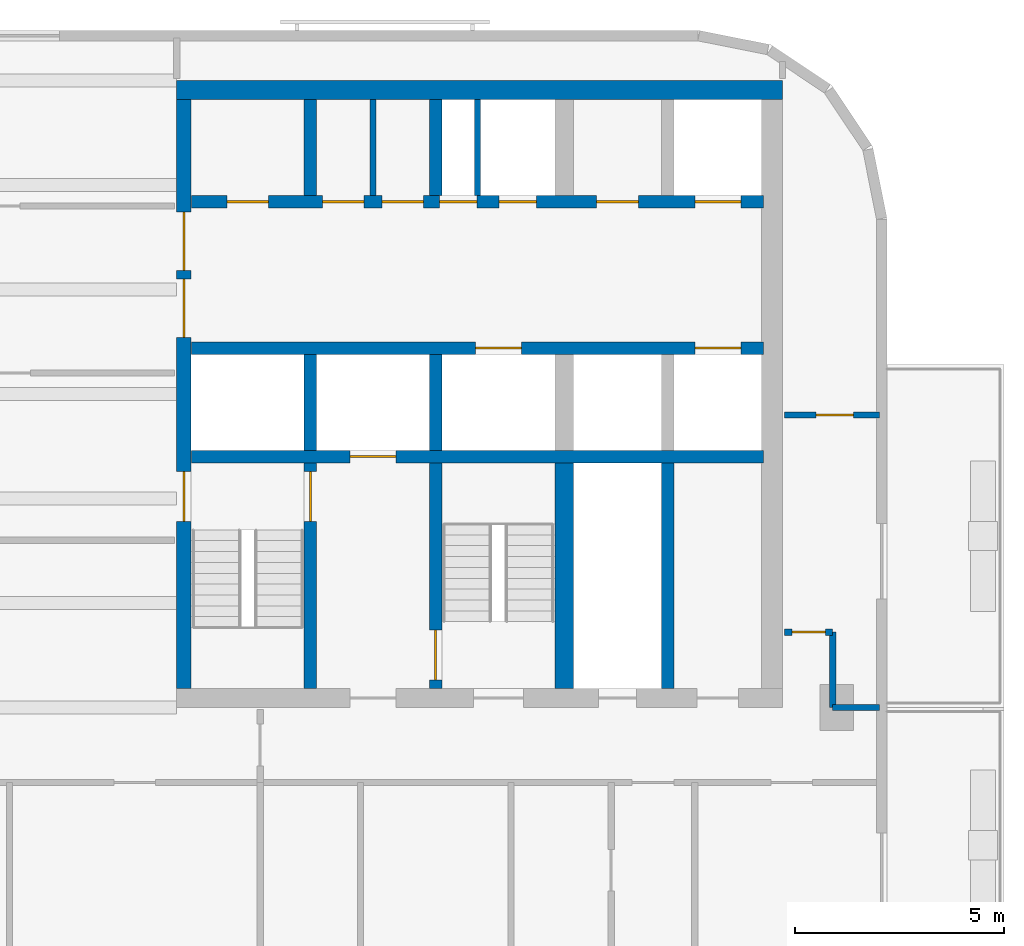
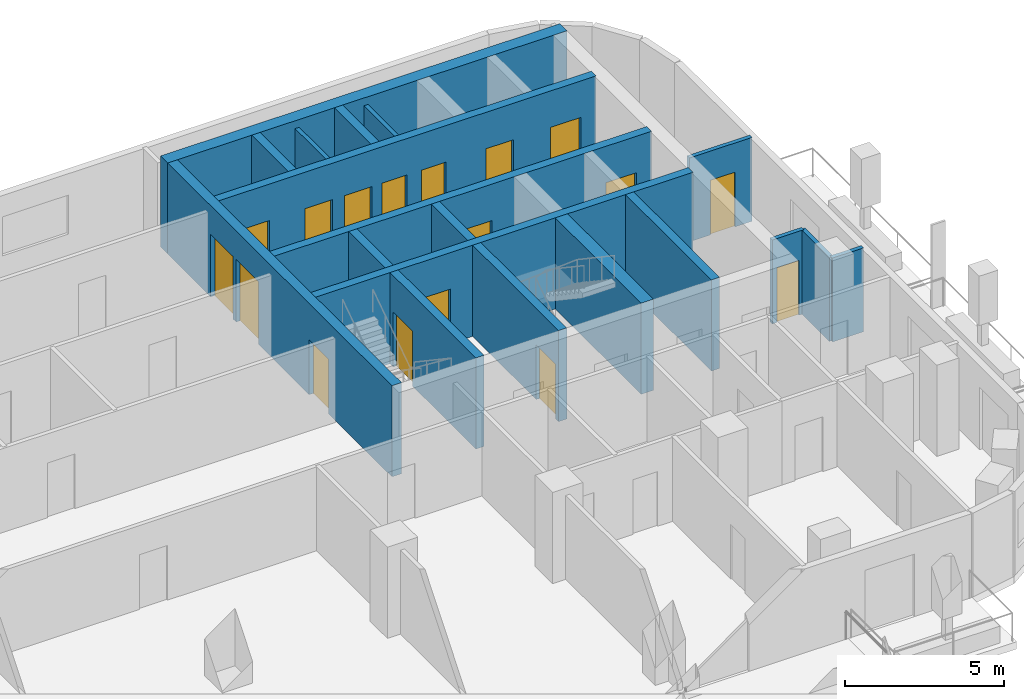
# One storey, part 6 of 11: 19 walls, 17 doors, 17 openings.
"""IFC4 building model written with IfcOpenShell, lengths in metres."""

from ifc_helpers import new_model, si_unit, direction, frame, frame_2d, origin, place, context, subcontext, project, spatial, rectangle, extrude, material, layer, layer_set, type_object, element, fill, save


model = new_model("IFC4")

# Units and contexts
model_context = context("Model", 3, precision=1e-05, world=origin(), true_north=direction((0.0, 1.0)))
body_context = subcontext(model_context, "Body", "Model", "MODEL_VIEW")
ifc_project = project(units=[si_unit("LENGTHUNIT", "METRE"), si_unit("AREAUNIT", "SQUARE_METRE"), si_unit("VOLUMEUNIT", "CUBIC_METRE"), si_unit("PLANEANGLEUNIT", "RADIAN"), si_unit("MASSUNIT", "GRAM", prefix="KILO")], contexts=[model_context])

# Site, building, storey
site_placement = place(None, origin())
site = spatial("IfcSite", under=ifc_project, at=site_placement, CompositionType="ELEMENT")
building_placement = place(site_placement, origin())
building = spatial("IfcBuilding", under=site, at=building_placement, Name="Torana Hotel and Residences", CompositionType="ELEMENT")
storey_placement = place(building_placement, frame((0.0, 0.0, 215.10009765625)))
storey = spatial("IfcBuildingStorey", under=building, at=storey_placement, Name="L56", CompositionType="ELEMENT", Elevation=215.10009765625)

# Wall, openings, doors
ifc_material_1 = material(Name="Concrete C70/85", Category="concrete")
ifc_layer_1 = layer(ifc_material_1, 0.300048828125)
ifc_layer_set_1 = layer_set([ifc_layer_1], Name="CORE WALL 300 C70/85")
wall_type_1 = type_object("IfcWallType", Name="CORE WALL 300 C70/85", PredefinedType="SHEAR", material=ifc_layer_set_1)
wall_1_placement = place(storey_placement, frame((10.35009765625, -2.89990234375, 0.0), z_axis=(0.0, 0.0, 1.0), x_axis=(1.0, 0.0, 0.0)))
wall_1 = element("IfcWall", 1, at=wall_1_placement, inside=storey, type_object=wall_type_1, Name="Core wall E row-N", PredefinedType="SHEAR", context=body_context, shape_type="SweptSolid", body=[
    extrude(rectangle(XDim=13.699951171875, YDim=0.300048828125, at=frame_2d((6.85009765625, 0.0))), origin(), (0.0, 0.0, 1.0), 3.5),
])
opening_1_placement = place(wall_1_placement, frame((12.050048828125, 0.0, 0.0)))
opening_1 = element("IfcOpeningElement", 2, at=opening_1_placement, cuts=wall_1, Name="Opening LD", PredefinedType="OPENING", context=body_context, shape_type="SweptSolid", body=[
    extrude(rectangle(XDim=1.10009765625, YDim=2.10009765625, at=frame_2d((0.550048828125, 1.050048828125))), frame((0.0, 0.159912109375, 0.0), z_axis=(0.0, -1.0, 0.0), x_axis=(1.0, 0.0, 0.0)), (0.0, 0.0, 1.0), 0.320068359375),
])
opening_2_placement = place(wall_1_placement, frame((5.9375, 0.0, 0.0)))
opening_2 = element("IfcOpeningElement", 3, at=opening_2_placement, cuts=wall_1, Name="Opening L56-23", PredefinedType="OPENING", context=body_context, shape_type="SweptSolid", body=[
    extrude(rectangle(XDim=0.89990234375, YDim=2.10009765625, at=frame_2d((0.449951171875, 1.050048828125))), frame((0.0, 0.159912109375, 0.0), z_axis=(0.0, -1.0, 0.0), x_axis=(1.0, 0.0, 0.0)), (0.0, 0.0, 1.0), 0.320068359375),
])
opening_3_placement = place(wall_1_placement, frame((7.362548828125, 0.0, 0.0)))
opening_3 = element("IfcOpeningElement", 4, at=opening_3_placement, cuts=wall_1, Name="Opening L56-24", PredefinedType="OPENING", context=body_context, shape_type="SweptSolid", body=[
    extrude(rectangle(XDim=0.89990234375, YDim=2.10009765625, at=frame_2d((0.449951171875, 1.050048828125))), frame((0.0, 0.159912109375, 0.0), z_axis=(0.0, -1.0, 0.0), x_axis=(1.0, 0.0, 0.0)), (0.0, 0.0, 1.0), 0.320068359375),
])
opening_4_placement = place(wall_1_placement, frame((0.85009765625, 0.0, 0.0)))
opening_4 = element("IfcOpeningElement", 5, at=opening_4_placement, cuts=wall_1, Name="Opening L56-25", PredefinedType="OPENING", context=body_context, shape_type="SweptSolid", body=[
    extrude(rectangle(XDim=1.0, YDim=2.10009765625, at=frame_2d((0.5, 1.050048828125))), frame((0.0, 0.159912109375, 0.0), z_axis=(0.0, -1.0, 0.0), x_axis=(1.0, 0.0, 0.0)), (0.0, 0.0, 1.0), 0.320068359375),
])
opening_5_placement = place(wall_1_placement, frame((3.137451171875, 0.0, 0.0)))
opening_5 = element("IfcOpeningElement", 6, at=opening_5_placement, cuts=wall_1, Name="Opening L56-26", PredefinedType="OPENING", context=body_context, shape_type="SweptSolid", body=[
    extrude(rectangle(XDim=1.0, YDim=2.10009765625, at=frame_2d((0.5, 1.050048828125))), frame((0.0, 0.159912109375, 0.0), z_axis=(0.0, -1.0, 0.0), x_axis=(1.0, 0.0, 0.0)), (0.0, 0.0, 1.0), 0.320068359375),
])
opening_6_placement = place(wall_1_placement, frame((4.5625, 0.0, 0.0)))
opening_6 = element("IfcOpeningElement", 7, at=opening_6_placement, cuts=wall_1, Name="Opening L56-27", PredefinedType="OPENING", context=body_context, shape_type="SweptSolid", body=[
    extrude(rectangle(XDim=1.0, YDim=2.10009765625, at=frame_2d((0.5, 1.050048828125))), frame((0.0, 0.159912109375, 0.0), z_axis=(0.0, -1.0, 0.0), x_axis=(1.0, 0.0, 0.0)), (0.0, 0.0, 1.0), 0.320068359375),
])
opening_7_placement = place(wall_1_placement, frame((9.699951171875, 0.0, 0.0)))
opening_7 = element("IfcOpeningElement", 8, at=opening_7_placement, cuts=wall_1, Name="Opening L56-28", PredefinedType="OPENING", context=body_context, shape_type="SweptSolid", body=[
    extrude(rectangle(XDim=1.0, YDim=2.10009765625, at=frame_2d((0.5, 1.050048828125))), frame((0.0, 0.159912109375, 0.0), z_axis=(0.0, -1.0, 0.0), x_axis=(1.0, 0.0, 0.0)), (0.0, 0.0, 1.0), 0.320068359375),
])
ifc_material_2 = material(Name="Steel S235", Category="steel")
door_type_1 = type_object("IfcDoorType", Name="CORE ROOM FIRE DOOR D14 1000x2100", OperationType="SINGLE_SWING_LEFT", PredefinedType="DOOR", material=ifc_material_2)
door_1_placement = place(opening_4_placement, origin())
door_1 = element("IfcDoor", 9, at=door_1_placement, inside=storey, type_object=door_type_1, Name="N0 door L56", OperationType="SINGLE_SWING_RIGHT", OverallHeight=2.10009765625, OverallWidth=1.0, PredefinedType="DOOR", context=body_context, shape_type="SweptSolid", body=[
    extrude(rectangle(XDim=1.0, YDim=2.10009765625, at=frame_2d((0.5, 1.050048828125))), frame((0.0, 0.02490234375, 0.0), z_axis=(0.0, -1.0, 0.0), x_axis=(1.0, 0.0, 0.0)), (0.0, 0.0, 1.0), 0.050048828125),
])
fill(opening_4, door_1)
door_2_placement = place(opening_5_placement, origin())
door_2 = element("IfcDoor", 10, at=door_2_placement, inside=storey, type_object=door_type_1, Name="N1A door L56", OperationType="SINGLE_SWING_RIGHT", OverallHeight=2.10009765625, OverallWidth=1.0, PredefinedType="DOOR", context=body_context, shape_type="SweptSolid", body=[
    extrude(rectangle(XDim=1.0, YDim=2.10009765625, at=frame_2d((0.5, 1.050048828125))), frame((0.0, 0.02490234375, 0.0), z_axis=(0.0, -1.0, 0.0), x_axis=(1.0, 0.0, 0.0)), (0.0, 0.0, 1.0), 0.050048828125),
])
fill(opening_5, door_2)
door_3_placement = place(opening_6_placement, origin())
door_3 = element("IfcDoor", 11, at=door_3_placement, inside=storey, type_object=door_type_1, Name="N1B door L56", OperationType="SINGLE_SWING_RIGHT", OverallHeight=2.10009765625, OverallWidth=1.0, PredefinedType="DOOR", context=body_context, shape_type="SweptSolid", body=[
    extrude(rectangle(XDim=1.0, YDim=2.10009765625, at=frame_2d((0.5, 1.050048828125))), frame((0.0, 0.02490234375, 0.0), z_axis=(0.0, -1.0, 0.0), x_axis=(1.0, 0.0, 0.0)), (0.0, 0.0, 1.0), 0.050048828125),
])
fill(opening_6, door_3)
door_4_placement = place(opening_7_placement, origin())
door_4 = element("IfcDoor", 12, at=door_4_placement, inside=storey, type_object=door_type_1, Name="Freed-S2 door L56", OperationType="SINGLE_SWING_RIGHT", OverallHeight=2.10009765625, OverallWidth=1.0, PredefinedType="DOOR", context=body_context, shape_type="SweptSolid", body=[
    extrude(rectangle(XDim=1.0, YDim=2.10009765625, at=frame_2d((0.5, 1.050048828125))), frame((0.0, 0.02490234375, 0.0), z_axis=(0.0, -1.0, 0.0), x_axis=(1.0, 0.0, 0.0)), (0.0, 0.0, 1.0), 0.050048828125),
])
fill(opening_7, door_4)
ifc_material_3 = material(Name="Stainless steel 316", Category="steel")
door_type_2 = type_object("IfcDoorType", Name="LIFT LANDING DOOR LD 1100x2100", OperationType="DOUBLE_DOOR_SLIDING", PredefinedType="USERDEFINED", material=ifc_material_3)
door_5_placement = place(opening_1_placement, origin())
door_5 = element("IfcDoor", 13, at=door_5_placement, inside=storey, type_object=door_type_2, Name="Lift landing door M3 L56", ObjectType="LIFT LANDING DOOR", OperationType="DOUBLE_DOOR_SLIDING", OverallHeight=2.10009765625, OverallWidth=1.10009765625, PredefinedType="USERDEFINED", context=body_context, shape_type="SweptSolid", body=[
    extrude(rectangle(XDim=1.10009765625, YDim=2.10009765625, at=frame_2d((0.550048828125, 1.050048828125))), frame((0.0, 0.02490234375, 0.0), z_axis=(0.0, -1.0, 0.0), x_axis=(1.0, 0.0, 0.0)), (0.0, 0.0, 1.0), 0.050048828125),
])
fill(opening_1, door_5)
ifc_material_4 = material(Name="Steel S235", Category="steel")
door_type_3 = type_object("IfcDoorType", Name="RISER ACCESS DOOR D5 900x2100", OperationType="SINGLE_SWING_LEFT", PredefinedType="DOOR", material=ifc_material_4)
door_6_placement = place(opening_2_placement, origin())
door_6 = element("IfcDoor", 14, at=door_6_placement, inside=storey, type_object=door_type_3, Name="N2A door L56", OperationType="SINGLE_SWING_RIGHT", OverallHeight=2.10009765625, OverallWidth=0.89990234375, PredefinedType="DOOR", context=body_context, shape_type="SweptSolid", body=[
    extrude(rectangle(XDim=0.89990234375, YDim=2.10009765625, at=frame_2d((0.449951171875, 1.050048828125))), frame((0.0, 0.02490234375, 0.0), z_axis=(0.0, -1.0, 0.0), x_axis=(1.0, 0.0, 0.0)), (0.0, 0.0, 1.0), 0.050048828125),
])
fill(opening_2, door_6)
door_7_placement = place(opening_3_placement, origin())
door_7 = element("IfcDoor", 15, at=door_7_placement, inside=storey, type_object=door_type_3, Name="N2B door L56", OperationType="SINGLE_SWING_RIGHT", OverallHeight=2.10009765625, OverallWidth=0.89990234375, PredefinedType="DOOR", context=body_context, shape_type="SweptSolid", body=[
    extrude(rectangle(XDim=0.89990234375, YDim=2.10009765625, at=frame_2d((0.449951171875, 1.050048828125))), frame((0.0, 0.02490234375, 0.0), z_axis=(0.0, -1.0, 0.0), x_axis=(1.0, 0.0, 0.0)), (0.0, 0.0, 1.0), 0.050048828125),
])
fill(opening_3, door_7)

wall_2_placement = place(storey_placement, frame((10.35009765625, -6.39990234375, 0.0), z_axis=(0.0, 0.0, 1.0), x_axis=(1.0, 0.0, 0.0)))
wall_2 = element("IfcWall", 16, at=wall_2_placement, inside=storey, type_object=wall_type_1, Name="Core wall E row-S", PredefinedType="SHEAR", context=body_context, shape_type="SweptSolid", body=[
    extrude(rectangle(XDim=13.699951171875, YDim=0.300048828125, at=frame_2d((6.85009765625, 0.0))), origin(), (0.0, 0.0, 1.0), 3.5),
])
opening_8_placement = place(wall_2_placement, frame((12.050048828125, 0.0, 0.0)))
opening_8 = element("IfcOpeningElement", 17, at=opening_8_placement, cuts=wall_2, Name="Opening LD", PredefinedType="OPENING", context=body_context, shape_type="SweptSolid", body=[
    extrude(rectangle(XDim=1.10009765625, YDim=2.10009765625, at=frame_2d((0.550048828125, 1.050048828125))), frame((0.0, 0.159912109375, 0.0), z_axis=(0.0, -1.0, 0.0), x_axis=(1.0, 0.0, 0.0)), (0.0, 0.0, 1.0), 0.320068359375),
])
opening_9_placement = place(wall_2_placement, frame((6.800048828125, 0.0, 0.0)))
opening_9 = element("IfcOpeningElement", 18, at=opening_9_placement, cuts=wall_2, Name="Opening LD", PredefinedType="OPENING", context=body_context, shape_type="SweptSolid", body=[
    extrude(rectangle(XDim=1.10009765625, YDim=2.10009765625, at=frame_2d((0.550048828125, 1.050048828125))), frame((0.0, 0.159912109375, 0.0), z_axis=(0.0, -1.0, 0.0), x_axis=(1.0, 0.0, 0.0)), (0.0, 0.0, 1.0), 0.320068359375),
])
door_8_placement = place(opening_8_placement, origin())
door_8 = element("IfcDoor", 19, at=door_8_placement, inside=storey, type_object=door_type_2, Name="Lift landing door M4 L56", ObjectType="LIFT LANDING DOOR", OperationType="DOUBLE_DOOR_SLIDING", OverallHeight=2.10009765625, OverallWidth=1.10009765625, PredefinedType="USERDEFINED", context=body_context, shape_type="SweptSolid", body=[
    extrude(rectangle(XDim=1.10009765625, YDim=2.10009765625, at=frame_2d((0.550048828125, 1.050048828125))), frame((0.0, 0.02490234375, 0.0), z_axis=(0.0, -1.0, 0.0), x_axis=(1.0, 0.0, 0.0)), (0.0, 0.0, 1.0), 0.050048828125),
])
fill(opening_8, door_8)
door_9_placement = place(opening_9_placement, origin())
door_9 = element("IfcDoor", 20, at=door_9_placement, inside=storey, type_object=door_type_2, Name="Lift landing door SV2 L56", ObjectType="LIFT LANDING DOOR", OperationType="DOUBLE_DOOR_SLIDING", OverallHeight=2.10009765625, OverallWidth=1.10009765625, PredefinedType="USERDEFINED", context=body_context, shape_type="SweptSolid", body=[
    extrude(rectangle(XDim=1.10009765625, YDim=2.10009765625, at=frame_2d((0.550048828125, 1.050048828125))), frame((0.0, 0.02490234375, 0.0), z_axis=(0.0, -1.0, 0.0), x_axis=(1.0, 0.0, 0.0)), (0.0, 0.0, 1.0), 0.050048828125),
])
fill(opening_9, door_9)

# Wall, opening, door
wall_3_placement = place(storey_placement, frame((10.35009765625, -9.0, 0.0), z_axis=(0.0, 0.0, 1.0), x_axis=(1.0, 0.0, 0.0)))
wall_3 = element("IfcWall", 21, at=wall_3_placement, inside=storey, type_object=wall_type_1, Name="Core wall E band", PredefinedType="SHEAR", context=body_context, shape_type="SweptSolid", body=[
    extrude(rectangle(XDim=13.699951171875, YDim=0.300048828125, at=frame_2d((6.85009765625, 0.0))), origin(), (0.0, 0.0, 1.0), 3.5),
])
opening_10_placement = place(wall_3_placement, frame((3.800048828125, 0.0, 0.0)))
opening_10 = element("IfcOpeningElement", 22, at=opening_10_placement, cuts=wall_3, Name="Opening LD", PredefinedType="OPENING", context=body_context, shape_type="SweptSolid", body=[
    extrude(rectangle(XDim=1.10009765625, YDim=2.10009765625, at=frame_2d((0.550048828125, 1.050048828125))), frame((0.0, 0.159912109375, 0.0), z_axis=(0.0, -1.0, 0.0), x_axis=(1.0, 0.0, 0.0)), (0.0, 0.0, 1.0), 0.320068359375),
])
door_10_placement = place(opening_10_placement, origin())
door_10 = element("IfcDoor", 23, at=door_10_placement, inside=storey, type_object=door_type_2, Name="Lift landing door FF2 L56", ObjectType="LIFT LANDING DOOR", OperationType="DOUBLE_DOOR_SLIDING", OverallHeight=2.10009765625, OverallWidth=1.10009765625, PredefinedType="USERDEFINED", context=body_context, shape_type="SweptSolid", body=[
    extrude(rectangle(XDim=1.10009765625, YDim=2.10009765625, at=frame_2d((0.550048828125, 1.050048828125))), frame((0.0, 0.02490234375, 0.0), z_axis=(0.0, -1.0, 0.0), x_axis=(1.0, 0.0, 0.0)), (0.0, 0.0, 1.0), 0.050048828125),
])
fill(opening_10, door_10)

# Walls
for number, where, z_axis, x_axis, name in (
    (24, (13.199951171875, -2.75, 0.0), (0.0, 0.0, 1.0), (0.0, 1.0, 0.0), "Core wall E x3.05-N"),
    (25, (13.199951171875, -8.85009765625, 0.0), (0.0, 0.0, 1.0), (0.0, 1.0, 0.0), "Core wall E x3.05-S"),
):
    element("IfcWall", number, at=place(storey_placement, frame(where, z_axis=z_axis, x_axis=x_axis)), inside=storey, type_object=wall_type_1, Name=name, PredefinedType="SHEAR", context=body_context, shape_type="SweptSolid", body=[
        extrude(rectangle(XDim=2.300048828125, YDim=0.300048828125, at=frame_2d((1.14990234375, 0.0))), origin(), (0.0, 0.0, 1.0), 3.5),
    ])

# Wall, opening, door
wall_4_placement = place(storey_placement, frame((13.199951171875, -14.550048828125, 0.0), z_axis=(0.0, 0.0, 1.0), x_axis=(0.0, 1.0, 0.0)))
wall_4 = element("IfcWall", 26, at=wall_4_placement, inside=storey, type_object=wall_type_1, Name="Core wall E x3.05-band", PredefinedType="SHEAR", context=body_context, shape_type="SweptSolid", body=[
    extrude(rectangle(XDim=5.400146484375, YDim=0.300048828125, at=frame_2d((2.7001953125, 0.0))), origin(), (0.0, 0.0, 1.0), 3.5),
])
opening_11_placement = place(wall_4_placement, frame((4.0, 0.0, 0.0)))
opening_11 = element("IfcOpeningElement", 27, at=opening_11_placement, cuts=wall_4, Name="Opening L56-29", PredefinedType="OPENING", context=body_context, shape_type="SweptSolid", body=[
    extrude(rectangle(XDim=1.199951171875, YDim=2.10009765625, at=frame_2d((0.60009765625, 1.050048828125))), frame((0.0, 0.159912109375, 0.0), z_axis=(0.0, -1.0, 0.0), x_axis=(1.0, 0.0, 0.0)), (0.0, 0.0, 1.0), 0.320068359375),
])
ifc_material_5 = material(Name="Steel S235", Category="steel")
door_type_4 = type_object("IfcDoorType", Name="STAIR FIRE DOOR D3 1200x2100", OperationType="SINGLE_SWING_LEFT", PredefinedType="DOOR", material=ifc_material_5)
door_11_placement = place(opening_11_placement, origin())
door_11 = element("IfcDoor", 28, at=door_11_placement, inside=storey, type_object=door_type_4, Name="Stair-A-lobby door L56", OperationType="SINGLE_SWING_LEFT", OverallHeight=2.10009765625, OverallWidth=1.199951171875, PredefinedType="DOOR", context=body_context, shape_type="SweptSolid", body=[
    extrude(rectangle(XDim=1.199951171875, YDim=2.10009765625, at=frame_2d((0.60009765625, 1.050048828125))), frame((0.0, 0.02490234375, 0.0), z_axis=(0.0, -1.0, 0.0), x_axis=(1.0, 0.0, 0.0)), (0.0, 0.0, 1.0), 0.050048828125),
])
fill(opening_11, door_11)

# Walls
for number, where, z_axis, x_axis, name in (
    (29, (16.199951171875, -2.75, 0.0), (0.0, 0.0, 1.0), (0.0, 1.0, 0.0), "Core wall E x6.05-N"),
    (30, (16.199951171875, -8.85009765625, 0.0), (0.0, 0.0, 1.0), (0.0, 1.0, 0.0), "Core wall E x6.05-S"),
):
    element("IfcWall", number, at=place(storey_placement, frame(where, z_axis=z_axis, x_axis=x_axis)), inside=storey, type_object=wall_type_1, Name=name, PredefinedType="SHEAR", context=body_context, shape_type="SweptSolid", body=[
        extrude(rectangle(XDim=2.300048828125, YDim=0.300048828125, at=frame_2d((1.14990234375, 0.0))), origin(), (0.0, 0.0, 1.0), 3.5),
    ])

# Wall, opening, door
wall_5_placement = place(storey_placement, frame((16.199951171875, -14.550048828125, 0.0), z_axis=(0.0, 0.0, 1.0), x_axis=(0.0, 1.0, 0.0)))
wall_5 = element("IfcWall", 31, at=wall_5_placement, inside=storey, type_object=wall_type_1, Name="Core wall E x6.05-band", PredefinedType="SHEAR", context=body_context, shape_type="SweptSolid", body=[
    extrude(rectangle(XDim=5.400146484375, YDim=0.300048828125, at=frame_2d((2.7001953125, 0.0))), origin(), (0.0, 0.0, 1.0), 3.5),
])
opening_12_placement = place(wall_5_placement, frame((0.199951171875, 0.0, 0.0)))
opening_12 = element("IfcOpeningElement", 32, at=opening_12_placement, cuts=wall_5, Name="Opening L56-30", PredefinedType="OPENING", context=body_context, shape_type="SweptSolid", body=[
    extrude(rectangle(XDim=1.199951171875, YDim=2.10009765625, at=frame_2d((0.60009765625, 1.050048828125))), frame((0.0, 0.159912109375, 0.0), z_axis=(0.0, -1.0, 0.0), x_axis=(1.0, 0.0, 0.0)), (0.0, 0.0, 1.0), 0.320068359375),
])
door_12_placement = place(opening_12_placement, frame((0.60009765625, 0.0, 0.0), z_axis=(0.0, 0.0, 1.0), x_axis=(-1.0, 0.0, 0.0)))
door_12 = element("IfcDoor", 33, at=door_12_placement, inside=storey, type_object=door_type_4, Name="Stair-B-lobby door L56", OperationType="SINGLE_SWING_LEFT", OverallHeight=2.10009765625, OverallWidth=1.199951171875, PredefinedType="DOOR", context=body_context, shape_type="SweptSolid", body=[
    extrude(rectangle(XDim=1.199951171875, YDim=2.10009765625, at=frame_2d((0.0, 1.050048828125))), frame((0.0, -0.02490234375, 0.0), z_axis=(0.0, 1.0, 0.0), x_axis=(-1.0, 0.0, 0.0)), (0.0, 0.0, 1.0), 0.050048828125),
])
fill(opening_12, door_12)

# Wall
wall_6_placement = place(storey_placement, frame((21.75, -14.550048828125, 0.0), z_axis=(0.0, 0.0, 1.0), x_axis=(0.0, 1.0, 0.0)))
element("IfcWall", 34, at=wall_6_placement, inside=storey, type_object=wall_type_1, Name="Core wall E mm-band", PredefinedType="SHEAR", context=body_context, shape_type="SweptSolid", body=[
    extrude(rectangle(XDim=5.400146484375, YDim=0.300048828125, at=frame_2d((2.7001953125, 0.0))), origin(), (0.0, 0.0, 1.0), 3.5),
])

# Wall, openings, doors
ifc_material_6 = material(Name="Concrete C70/85", Category="concrete")
ifc_layer_2 = layer(ifc_material_6, 0.35009765625)
ifc_layer_set_2 = layer_set([ifc_layer_2], Name="CORE WALL 350 C70/85")
wall_type_2 = type_object("IfcWallType", Name="CORE WALL 350 C70/85", PredefinedType="SHEAR", material=ifc_layer_set_2)
wall_7_placement = place(storey_placement, frame((10.175048828125, -14.550048828125, 0.0), z_axis=(0.0, 0.0, 1.0), x_axis=(0.0, 1.0, 0.0)))
wall_7 = element("IfcWall", 35, at=wall_7_placement, inside=storey, type_object=wall_type_2, Name="Core wall E arch", PredefinedType="SHEAR", context=body_context, shape_type="SweptSolid", body=[
    extrude(rectangle(XDim=14.10009765625, YDim=0.35009765625, at=frame_2d((7.050048828125, 0.0))), origin(), (0.0, 0.0, 1.0), 3.5),
])
opening_13_placement = place(wall_7_placement, frame((8.39990234375, 0.0, 0.0)))
opening_13 = element("IfcOpeningElement", 36, at=opening_13_placement, cuts=wall_7, Name="Opening L56-16", PredefinedType="OPENING", context=body_context, shape_type="SweptSolid", body=[
    extrude(rectangle(XDim=1.39990234375, YDim=2.39990234375, at=frame_2d((0.699951171875, 1.199951171875))), frame((0.0, 0.18505859375, 0.0), z_axis=(0.0, -1.0, 0.0), x_axis=(1.0, 0.0, 0.0)), (0.0, 0.0, 1.0), 0.3701171875),
])
opening_14_placement = place(wall_7_placement, frame((10.0, 0.0, 0.0)))
opening_14 = element("IfcOpeningElement", 37, at=opening_14_placement, cuts=wall_7, Name="Opening L56-17", PredefinedType="OPENING", context=body_context, shape_type="SweptSolid", body=[
    extrude(rectangle(XDim=1.39990234375, YDim=2.39990234375, at=frame_2d((0.699951171875, 1.199951171875))), frame((0.0, 0.18505859375, 0.0), z_axis=(0.0, -1.0, 0.0), x_axis=(1.0, 0.0, 0.0)), (0.0, 0.0, 1.0), 0.3701171875),
])
opening_15_placement = place(wall_7_placement, frame((4.0, 0.0, 0.0)))
opening_15 = element("IfcOpeningElement", 38, at=opening_15_placement, cuts=wall_7, Name="Opening L56-18", PredefinedType="OPENING", context=body_context, shape_type="SweptSolid", body=[
    extrude(rectangle(XDim=1.199951171875, YDim=2.10009765625, at=frame_2d((0.60009765625, 1.050048828125))), frame((0.0, 0.18505859375, 0.0), z_axis=(0.0, -1.0, 0.0), x_axis=(1.0, 0.0, 0.0)), (0.0, 0.0, 1.0), 0.3701171875),
])
ifc_material_7 = material(Name="Steel S235", Category="steel")
door_type_5 = type_object("IfcDoorType", Name="LOBBY FIRE DOOR D4 1400x2400", OperationType="DOUBLE_DOOR_SINGLE_SWING", PredefinedType="DOOR", material=ifc_material_7)
door_13_placement = place(opening_13_placement, origin())
door_13 = element("IfcDoor", 39, at=door_13_placement, inside=storey, type_object=door_type_5, Name="Lobby-1 door L56", OperationType="DOUBLE_DOOR_SINGLE_SWING", OverallHeight=2.39990234375, OverallWidth=1.39990234375, PredefinedType="DOOR", context=body_context, shape_type="SweptSolid", body=[
    extrude(rectangle(XDim=1.39990234375, YDim=2.39990234375, at=frame_2d((0.699951171875, 1.199951171875))), frame((0.0, 0.02490234375, 0.0), z_axis=(0.0, -1.0, 0.0), x_axis=(1.0, 0.0, 0.0)), (0.0, 0.0, 1.0), 0.050048828125),
])
fill(opening_13, door_13)
door_14_placement = place(opening_14_placement, origin())
door_14 = element("IfcDoor", 40, at=door_14_placement, inside=storey, type_object=door_type_5, Name="Lobby-2 door L56", OperationType="DOUBLE_DOOR_SINGLE_SWING", OverallHeight=2.39990234375, OverallWidth=1.39990234375, PredefinedType="DOOR", context=body_context, shape_type="SweptSolid", body=[
    extrude(rectangle(XDim=1.39990234375, YDim=2.39990234375, at=frame_2d((0.699951171875, 1.199951171875))), frame((0.0, 0.02490234375, 0.0), z_axis=(0.0, -1.0, 0.0), x_axis=(1.0, 0.0, 0.0)), (0.0, 0.0, 1.0), 0.050048828125),
])
fill(opening_14, door_14)
door_15_placement = place(opening_15_placement, frame((0.60009765625, 0.0, 0.0), z_axis=(0.0, 0.0, 1.0), x_axis=(-1.0, 0.0, 0.0)))
door_15 = element("IfcDoor", 41, at=door_15_placement, inside=storey, type_object=door_type_4, Name="Stair-A door L56", OperationType="SINGLE_SWING_RIGHT", OverallHeight=2.10009765625, OverallWidth=1.199951171875, PredefinedType="DOOR", context=body_context, shape_type="SweptSolid", body=[
    extrude(rectangle(XDim=1.199951171875, YDim=2.10009765625, at=frame_2d((0.0, 1.050048828125))), frame((0.0, -0.02490234375, 0.0), z_axis=(0.0, 1.0, 0.0), x_axis=(-1.0, 0.0, 0.0)), (0.0, 0.0, 1.0), 0.050048828125),
])
fill(opening_15, door_15)

# Walls
ifc_material_8 = material(Name="Concrete C70/85", Category="concrete")
ifc_layer_3 = layer(ifc_material_8, 0.449951171875)
ifc_layer_set_3 = layer_set([ifc_layer_3], Name="CORE WALL 450 C70/85")
wall_type_3 = type_object("IfcWallType", Name="CORE WALL 450 C70/85", PredefinedType="SHEAR", material=ifc_layer_set_3)
wall_8_placement = place(storey_placement, frame((10.0, -0.22509765625, 0.0), z_axis=(0.0, 0.0, 1.0), x_axis=(1.0, 0.0, 0.0)))
element("IfcWall", 42, at=wall_8_placement, inside=storey, type_object=wall_type_3, Name="Core wall E rear", PredefinedType="SHEAR", context=body_context, shape_type="SweptSolid", body=[
    extrude(rectangle(XDim=14.5, YDim=0.449951171875, at=frame_2d((7.25, 0.0))), origin(), (0.0, 0.0, 1.0), 3.5),
])
wall_9_placement = place(storey_placement, frame((19.27490234375, -14.550048828125, 0.0), z_axis=(0.0, 0.0, 1.0), x_axis=(0.0, 1.0, 0.0)))
element("IfcWall", 43, at=wall_9_placement, inside=storey, type_object=wall_type_3, Name="Core wall E hm-band", PredefinedType="SHEAR", context=body_context, shape_type="SweptSolid", body=[
    extrude(rectangle(XDim=5.400146484375, YDim=0.449951171875, at=frame_2d((2.7001953125, 0.0))), origin(), (0.0, 0.0, 1.0), 3.5),
])
ifc_material_9 = material(Name="Gypsum plaster")
ifc_layer_4 = layer(ifc_material_9, 0.014892578125, Name="Plaster", Category="finish")
ifc_material_10 = material(Name="Concrete blockwork", Category="masonry")
ifc_layer_5 = layer(ifc_material_10, 0.1201171875, Name="Blockwork", Category="structure")
ifc_layer_6 = layer(ifc_material_9, 0.014892578125, Name="Plaster", Category="finish")
ifc_layer_set_4 = layer_set([ifc_layer_4, ifc_layer_5, ifc_layer_6], Name="FIRE PARTITION 150 BLOCKWORK")
wall_type_4 = type_object("IfcWallType", Name="FIRE PARTITION 150 BLOCKWORK", PredefinedType="PARTITIONING", material=ifc_layer_set_4)
for number, where, z_axis, x_axis, name in (
    (44, (17.199951171875, -2.75, 0.0), (0.0, 0.0, 1.0), (0.0, 1.0, 0.0), "Core partition L56"),
    (45, (14.699951171875, -2.75, 0.0), (0.0, 0.0, 1.0), (0.0, 1.0, 0.0), "Core partition L56"),
):
    element("IfcWall", number, at=place(storey_placement, frame(where, z_axis=z_axis, x_axis=x_axis)), inside=storey, type_object=wall_type_4, Name=name, PredefinedType="PARTITIONING", context=body_context, shape_type="SweptSolid", body=[
        extrude(rectangle(XDim=2.300048828125, YDim=0.14990234375, at=frame_2d((1.14990234375, 0.0))), origin(), (0.0, 0.0, 1.0), 3.199951171875),
    ])
wall_10_placement = place(storey_placement, frame((25.699951171875, -15.0, 0.0), z_axis=(0.0, 0.0, 1.0), x_axis=(0.0, 1.0, 0.0)))
element("IfcWall", 46, at=wall_10_placement, inside=storey, type_object=wall_type_4, Name="Partition L56", PredefinedType="PARTITIONING", context=body_context, shape_type="SweptSolid", body=[
    extrude(rectangle(XDim=1.800048828125, YDim=0.14990234375, at=frame_2d((0.89990234375, 0.0))), origin(), (0.0, 0.0, 1.0), 3.219970703125),
])
wall_11_placement = place(storey_placement, frame((25.699951171875, -15.0, 0.0), z_axis=(0.0, 0.0, 1.0), x_axis=(1.0, 0.0, 0.0)))
element("IfcWall", 47, at=wall_11_placement, inside=storey, type_object=wall_type_4, Name="Partition L56", PredefinedType="PARTITIONING", context=body_context, shape_type="SweptSolid", body=[
    extrude(rectangle(XDim=1.1201171875, YDim=0.14990234375, at=frame_2d((0.56005859375, 0.0))), origin(), (0.0, 0.0, 1.0), 3.219970703125),
])

# Wall, opening, door
wall_12_placement = place(storey_placement, frame((24.550048828125, -13.199951171875, 0.0), z_axis=(0.0, 0.0, 1.0), x_axis=(1.0, 0.0, 0.0)))
wall_12 = element("IfcWall", 48, at=wall_12_placement, inside=storey, type_object=wall_type_4, Name="Partition L56", PredefinedType="PARTITIONING", context=body_context, shape_type="SweptSolid", body=[
    extrude(rectangle(XDim=1.14990234375, YDim=0.14990234375, at=frame_2d((0.574951171875, 0.0))), origin(), (0.0, 0.0, 1.0), 3.219970703125),
])
opening_16_placement = place(wall_12_placement, frame((0.175048828125, 0.0, 0.0)))
opening_16 = element("IfcOpeningElement", 49, at=opening_16_placement, cuts=wall_12, Name="Opening L56-39", PredefinedType="OPENING", context=body_context, shape_type="SweptSolid", body=[
    extrude(rectangle(XDim=0.800048828125, YDim=2.10009765625, at=frame_2d((0.39990234375, 1.050048828125))), frame((0.0, 0.0849609375, 0.0), z_axis=(0.0, -1.0, 0.0), x_axis=(1.0, 0.0, 0.0)), (0.0, 0.0, 1.0), 0.169921875),
])
ifc_material_11 = material(Name="Steel S235", Category="steel")
door_type_6 = type_object("IfcDoorType", Name="STORE FIRE DOOR D16 800x2100", OperationType="SINGLE_SWING_LEFT", PredefinedType="DOOR", material=ifc_material_11)
door_16_placement = place(opening_16_placement, origin())
door_16 = element("IfcDoor", 50, at=door_16_placement, inside=storey, type_object=door_type_6, Name="Door L56", OperationType="SINGLE_SWING_RIGHT", OverallHeight=2.10009765625, OverallWidth=0.800048828125, PredefinedType="DOOR", context=body_context, shape_type="SweptSolid", body=[
    extrude(rectangle(XDim=0.800048828125, YDim=2.10009765625, at=frame_2d((0.39990234375, 1.050048828125))), frame((0.0, 0.02490234375, 0.0), z_axis=(0.0, -1.0, 0.0), x_axis=(1.0, 0.0, 0.0)), (0.0, 0.0, 1.0), 0.050048828125),
])
fill(opening_16, door_16)

ifc_material_12 = material(Name="Gypsum plasterboard")
ifc_layer_7 = layer(ifc_material_12, 0.012451171875, Name="Plasterboard", Category="finish")
ifc_layer_8 = layer(ifc_material_12, 0.012451171875, Name="Plasterboard", Category="finish")
ifc_material_13 = material(Name="Steel S280GD", Category="steel")
ifc_layer_9 = layer(ifc_material_13, 0.10009765625, Name="Steel studs with mineral wool", Category="insulation")
ifc_layer_10 = layer(ifc_material_12, 0.012451171875, Name="Plasterboard", Category="finish")
ifc_layer_11 = layer(ifc_material_12, 0.012451171875, Name="Plasterboard", Category="finish")
ifc_layer_set_5 = layer_set([ifc_layer_7, ifc_layer_8, ifc_layer_9, ifc_layer_10, ifc_layer_11], Name="PARTITION 150 PLASTERBOARD")
wall_type_5 = type_object("IfcWallType", Name="PARTITION 150 PLASTERBOARD", PredefinedType="PARTITIONING", material=ifc_layer_set_5)
wall_13_placement = place(storey_placement, frame((24.550048828125, -8.0, 0.0), z_axis=(0.0, 0.0, 1.0), x_axis=(1.0, 0.0, 0.0)))
wall_13 = element("IfcWall", 51, at=wall_13_placement, inside=storey, type_object=wall_type_5, Name="Partition L56", PredefinedType="PARTITIONING", context=body_context, shape_type="SweptSolid", body=[
    extrude(rectangle(XDim=2.27001953125, YDim=0.14990234375, at=frame_2d((1.135009765625, 0.0))), origin(), (0.0, 0.0, 1.0), 3.219970703125),
])
opening_17_placement = place(wall_13_placement, frame((0.75, 0.0, 0.0)))
opening_17 = element("IfcOpeningElement", 52, at=opening_17_placement, cuts=wall_13, Name="Opening L56-65", PredefinedType="OPENING", context=body_context, shape_type="SweptSolid", body=[
    extrude(rectangle(XDim=0.89990234375, YDim=2.10009765625, at=frame_2d((0.449951171875, 1.050048828125))), frame((0.0, 0.0849609375, 0.0), z_axis=(0.0, -1.0, 0.0), x_axis=(1.0, 0.0, 0.0)), (0.0, 0.0, 1.0), 0.169921875),
])
ifc_material_14 = material(Name="Timber door, oiled ash", Category="wood")
door_type_7 = type_object("IfcDoorType", Name="ROOM DOOR D7 900x2100", OperationType="SINGLE_SWING_LEFT", PredefinedType="DOOR", material=ifc_material_14)
door_17_placement = place(opening_17_placement, origin())
door_17 = element("IfcDoor", 53, at=door_17_placement, inside=storey, type_object=door_type_7, Name="Door L56", OperationType="SINGLE_SWING_LEFT", OverallHeight=2.10009765625, OverallWidth=0.89990234375, PredefinedType="DOOR", context=body_context, shape_type="SweptSolid", body=[
    extrude(rectangle(XDim=0.89990234375, YDim=2.10009765625, at=frame_2d((0.449951171875, 1.050048828125))), frame((0.0, 0.02490234375, 0.0), z_axis=(0.0, -1.0, 0.0), x_axis=(1.0, 0.0, 0.0)), (0.0, 0.0, 1.0), 0.050048828125),
])
fill(opening_17, door_17)

save(model, "model.ifc")
